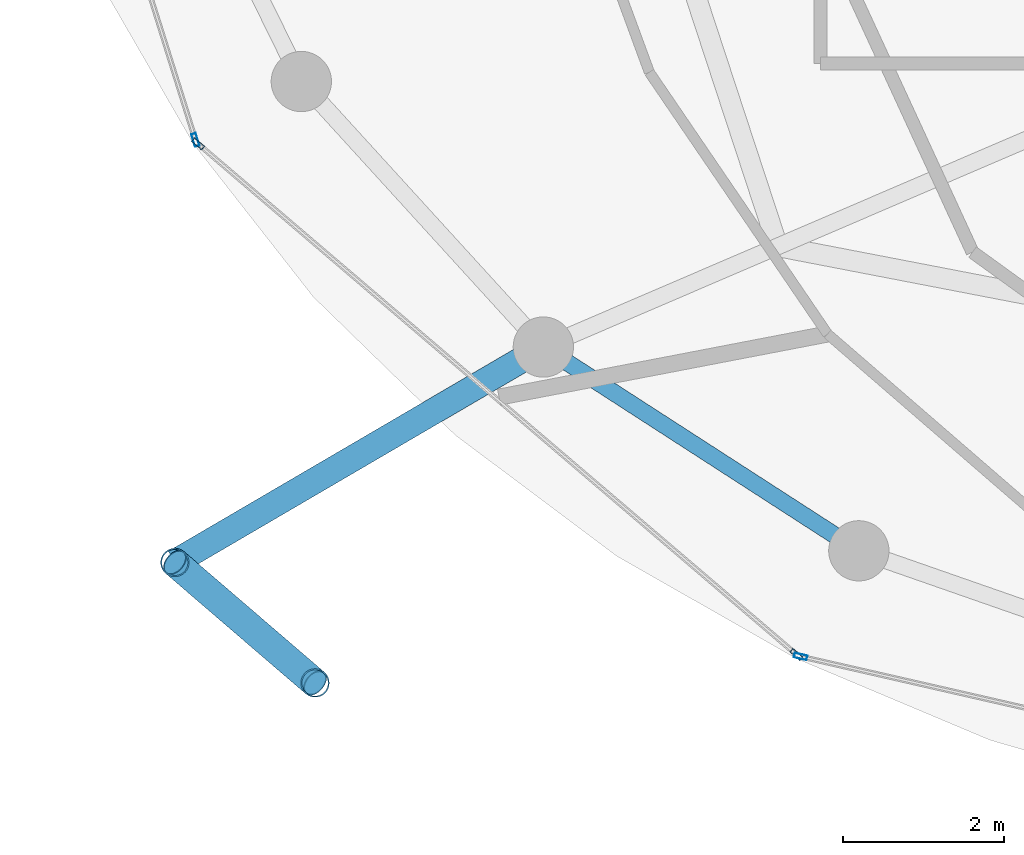
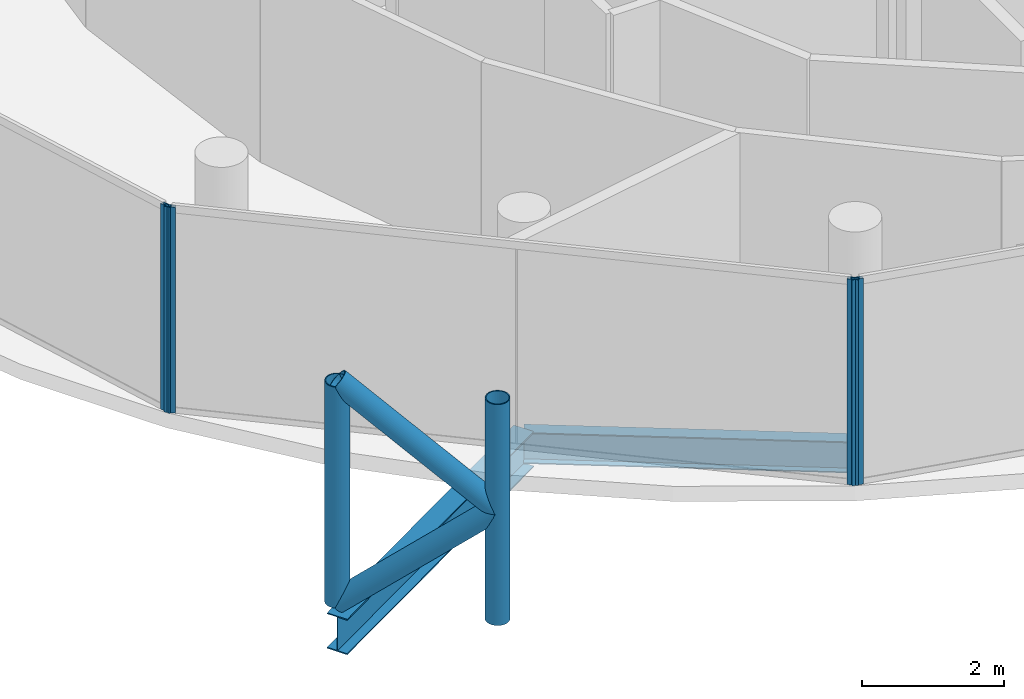
# One storey, part 2 of 24: 8 members, 2 beams, 3 elements without a shape of their own.
"""IFC4 building model written with IfcOpenShell, lengths in metres."""

from ifc_helpers import new_model, si_unit, direction, frame, origin, origin_2d, place, context, subcontext, project, spatial, hollow_rectangle, hollow_circle, i_section, extrude, material, layer, layer_set, material_profile, profile_set, type_object, element, aggregate, save


model = new_model("IFC4")

# Units and contexts
model_context = context("Model", 3, precision=1e-05, world=origin(), true_north=direction((0.0, 1.0)))
body_context = subcontext(model_context, "Body", "Model", "MODEL_VIEW")
ifc_project = project(units=[si_unit("LENGTHUNIT", "METRE"), si_unit("AREAUNIT", "SQUARE_METRE"), si_unit("VOLUMEUNIT", "CUBIC_METRE"), si_unit("PLANEANGLEUNIT", "RADIAN"), si_unit("MASSUNIT", "GRAM", prefix="KILO")], contexts=[model_context])

# Site, building, storey
site_placement = place(None, origin())
site = spatial("IfcSite", under=ifc_project, at=site_placement, CompositionType="ELEMENT")
building_placement = place(site_placement, origin())
building = spatial("IfcBuilding", under=site, at=building_placement, Name="Nuhasar Tower", CompositionType="ELEMENT")
storey_placement = place(building_placement, frame((0.0, 0.0, 286.0)))
storey = spatial("IfcBuildingStorey", under=building, at=storey_placement, Name="L71", CompositionType="ELEMENT", Elevation=286.0)

# Beams
ifc_material_1 = material(Name="Steel S355", Category="steel")
ifc_material_profile_1 = material_profile(ifc_material_1, i_section(OverallWidth=0.2099609375, OverallDepth=0.537109375, WebThickness=0.010986328125, FlangeThickness=0.017333984375, at=origin_2d()), Name="W21X68")
ifc_profile_set_1 = profile_set([ifc_material_profile_1], Name="Steel S355")
beam_type_1 = type_object("IfcBeamType", Name="BM-RING-W21X68", PredefinedType="SPANDREL", material=ifc_profile_set_1)
beam_1_placement = place(storey_placement, frame((25.60009765625, 15.52197265625, -0.529052734375), z_axis=(0.840025485934, -0.542546940809, 0.0), x_axis=(0.542546940809, 0.840025485934, 0.0)))
element("IfcBeam", 1, at=beam_1_placement, inside=storey, type_object=beam_type_1, Name="L71 Perimeter Ring Spandrel 16", PredefinedType="SPANDREL", context=body_context, shape_type="SweptSolid", body=[
    extrude(i_section(OverallWidth=0.2099609375, OverallDepth=0.537109375, WebThickness=0.010986328125, FlangeThickness=0.017333984375, at=origin_2d()), origin(), (0.0, 0.0, 1.0), 4.67236328125),
])
ifc_material_profile_2 = material_profile(ifc_material_1, i_section(OverallWidth=0.323974609375, OverallDepth=0.611083984375, WebThickness=0.0126953125, FlangeThickness=0.01904296875, at=origin_2d()), Name="W24X104")
ifc_profile_set_2 = profile_set([ifc_material_profile_2], Name="Steel S355")
beam_type_2 = type_object("IfcBeamType", Name="BM-TIE-W24X104", PredefinedType="BEAM", material=ifc_profile_set_2)
beam_2_placement = place(storey_placement, frame((25.60009765625, 15.52197265625, -0.56494140625), z_axis=(-0.863291554686, -0.504705549413, 0.0), x_axis=(0.504705549413, -0.863291554686, 0.0)))
element("IfcBeam", 2, at=beam_2_placement, inside=storey, type_object=beam_type_2, Name="L71 Exoskeleton Node Tie Beam 08", PredefinedType="BEAM", context=body_context, shape_type="SweptSolid", body=[
    extrude(i_section(OverallWidth=0.323974609375, OverallDepth=0.611083984375, WebThickness=0.0126953125, FlangeThickness=0.01904296875, at=origin_2d()), origin(), (0.0, 0.0, 1.0), 5.309814453125),
])

# Curtain wall, member
ifc_material_2 = material(Name="Aluminium 6063-T6", Category="aluminium")
ifc_layer = layer(ifc_material_2, 0.18994140625)
ifc_layer_set = layer_set([ifc_layer], Name="Aluminium 6063-T6")
curtain_wall_type = type_object("IfcCurtainWallType", Name="CW-Z4-PEN", PredefinedType="NOTDEFINED", material=ifc_layer_set)
curtain_wall_1_placement = place(storey_placement, origin())
curtain_wall_1 = element("IfcCurtainWall", 3, at=curtain_wall_1_placement, inside=storey, type_object=curtain_wall_type, Name="L71 Unitised Curtain Wall 07", PredefinedType="NOTDEFINED")
ifc_material_profile_3 = material_profile(ifc_material_2, hollow_rectangle(XDim=0.06005859375, YDim=0.1650390625, WallThickness=0.0048828125, at=origin_2d()), Name="CWM-5")
ifc_profile_set_3 = profile_set([ifc_material_profile_3], Name="Aluminium 6063-T6")
member_type_1 = type_object("IfcMemberType", Name="CW-MUL-S5", PredefinedType="MULLION", material=ifc_profile_set_3)
member_1_placement = place(storey_placement, frame((21.27197265625, 18.0986328125, 0.0), z_axis=(0.0, 0.0, 1.0), x_axis=(0.954078526601, 0.299556614146, 0.0)))
member_1 = element("IfcMember", 4, at=member_1_placement, type_object=member_type_1, Name="CW-Z4 mullion 2", PredefinedType="MULLION", context=body_context, shape_type="SweptSolid", body=[
    extrude(hollow_rectangle(XDim=0.06005859375, YDim=0.1650390625, WallThickness=0.0048828125, at=origin_2d()), origin(), (0.0, 0.0, 1.0), 3.5400390625),
])
aggregate(curtain_wall_1, [member_1])

# Curtain wall, members
curtain_wall_2_placement = place(storey_placement, origin())
curtain_wall_2 = element("IfcCurtainWall", 5, at=curtain_wall_2_placement, inside=storey, type_object=curtain_wall_type, Name="L71 Unitised Curtain Wall 08", PredefinedType="NOTDEFINED")
member_2_placement = place(storey_placement, frame((21.3037109375, 18.050537109375, 0.0), z_axis=(0.0, 0.0, 1.0), x_axis=(0.649141996205, 0.760667252327, 0.0)))
member_2 = element("IfcMember", 6, at=member_2_placement, type_object=member_type_1, Name="CW-Z4 mullion 1", PredefinedType="MULLION", context=body_context, shape_type="SweptSolid", body=[
    extrude(hollow_rectangle(XDim=0.06005859375, YDim=0.1650390625, WallThickness=0.0048828125, at=origin_2d()), origin(), (0.0, 0.0, 1.0), 3.5400390625),
])
member_3_placement = place(storey_placement, frame((28.7470703125, 11.698486328125, 0.0), z_axis=(0.0, 0.0, 1.0), x_axis=(0.649141996205, 0.760667252327, 0.0)))
member_3 = element("IfcMember", 7, at=member_3_placement, type_object=member_type_1, Name="CW-Z4 mullion 2", PredefinedType="MULLION", context=body_context, shape_type="SweptSolid", body=[
    extrude(hollow_rectangle(XDim=0.06005859375, YDim=0.1650390625, WallThickness=0.0048828125, at=origin_2d()), origin(), (0.0, 0.0, 1.0), 3.5400390625),
])
aggregate(curtain_wall_2, [member_2, member_3])

# Curtain wall, member
curtain_wall_3_placement = place(storey_placement, origin())
curtain_wall_3 = element("IfcCurtainWall", 8, at=curtain_wall_3_placement, inside=storey, type_object=curtain_wall_type, Name="L71 Unitised Curtain Wall 09", PredefinedType="NOTDEFINED")
member_4_placement = place(storey_placement, frame((28.79931640625, 11.67236328125, 0.0), z_axis=(0.0, 0.0, 1.0), x_axis=(0.222889487645, 0.97484371891, 0.0)))
member_4 = element("IfcMember", 9, at=member_4_placement, type_object=member_type_1, Name="CW-Z4 mullion 1", PredefinedType="MULLION", context=body_context, shape_type="SweptSolid", body=[
    extrude(hollow_rectangle(XDim=0.06005859375, YDim=0.1650390625, WallThickness=0.0048828125, at=origin_2d()), origin(), (0.0, 0.0, 1.0), 3.5400390625),
])
aggregate(curtain_wall_3, [member_4])

# Members
ifc_material_3 = material(Name="Steel S460", Category="steel")
ifc_material_profile_4 = material_profile(ifc_material_3, hollow_circle(Radius=0.177734375, WallThickness=0.015869140625, at=origin_2d()), Name="HSS355.6X15.9")
ifc_profile_set_4 = profile_set([ifc_material_profile_4], Name="Steel S460")
member_type_2 = type_object("IfcMemberType", Name="EXO-BRONZE-356", PredefinedType="BRACE", material=ifc_profile_set_4)
for number, where, z_axis, x_axis, name in (
    (10, (21.01611328125, 12.842041015625, 0.0), (0.0, 0.0, 1.0), (1.0, 0.0, 0.0), "L71 Exoskeleton Chord Column EC-08A"),
    (11, (22.760009765625, 11.343017578125, 0.0), (0.0, 0.0, 1.0), (1.0, 0.0, 0.0), "L71 Exoskeleton Chord Column EC-08B"),
):
    element("IfcMember", number, at=place(storey_placement, frame(where, z_axis=z_axis, x_axis=x_axis)), inside=storey, type_object=member_type_2, Name=name, PredefinedType="BRACE", context=body_context, shape_type="SweptSolid", body=[
        extrude(hollow_circle(Radius=0.177734375, WallThickness=0.015869140625, at=origin_2d()), origin(), (0.0, 0.0, 1.0), 3.800048828125),
    ])
member_5_placement = place(storey_placement, frame((21.01611328125, 12.842041015625, 0.0), z_axis=(0.584625223306, -0.502533791278, 0.636924749792), x_axis=(0.65185738425, 0.758341579104, 0.0)))
element("IfcMember", 12, at=member_5_placement, inside=storey, type_object=member_type_2, Name="L71 Bronze Diagrid Brace W1-08", PredefinedType="BRACE", context=body_context, shape_type="SweptSolid", body=[
    extrude(hollow_circle(Radius=0.177734375, WallThickness=0.015869140625, at=origin_2d()), origin(), (0.0, 0.0, 1.0), 2.98291015625),
])
member_6_placement = place(storey_placement, frame((22.760009765625, 11.343017578125, 1.89990234375), z_axis=(-0.584594747408, 0.50250759472, 0.636973389203), x_axis=(-0.65185738425, -0.758341579104, 0.0)))
element("IfcMember", 13, at=member_6_placement, inside=storey, type_object=member_type_2, Name="L71 Bronze Diagrid Brace W2-08", PredefinedType="BRACE", context=body_context, shape_type="SweptSolid", body=[
    extrude(hollow_circle(Radius=0.177734375, WallThickness=0.015869140625, at=origin_2d()), origin(), (0.0, 0.0, 1.0), 2.983154296875),
])

save(model, "model.ifc")
